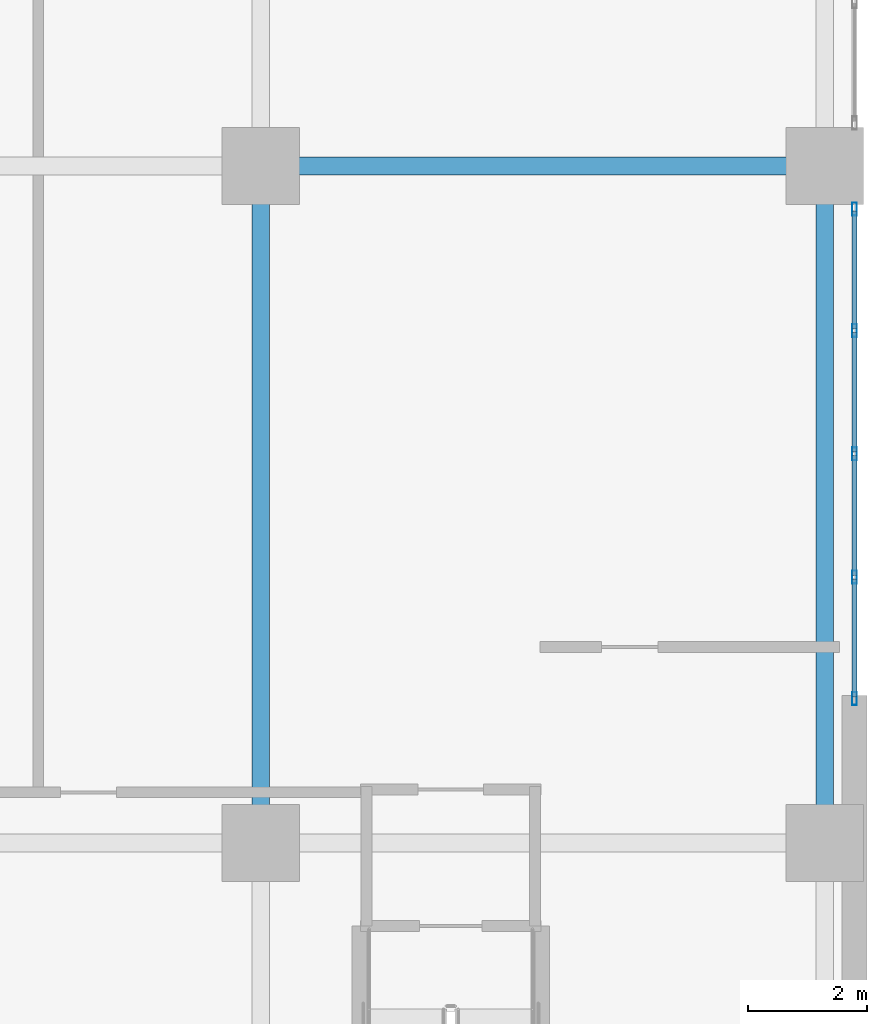
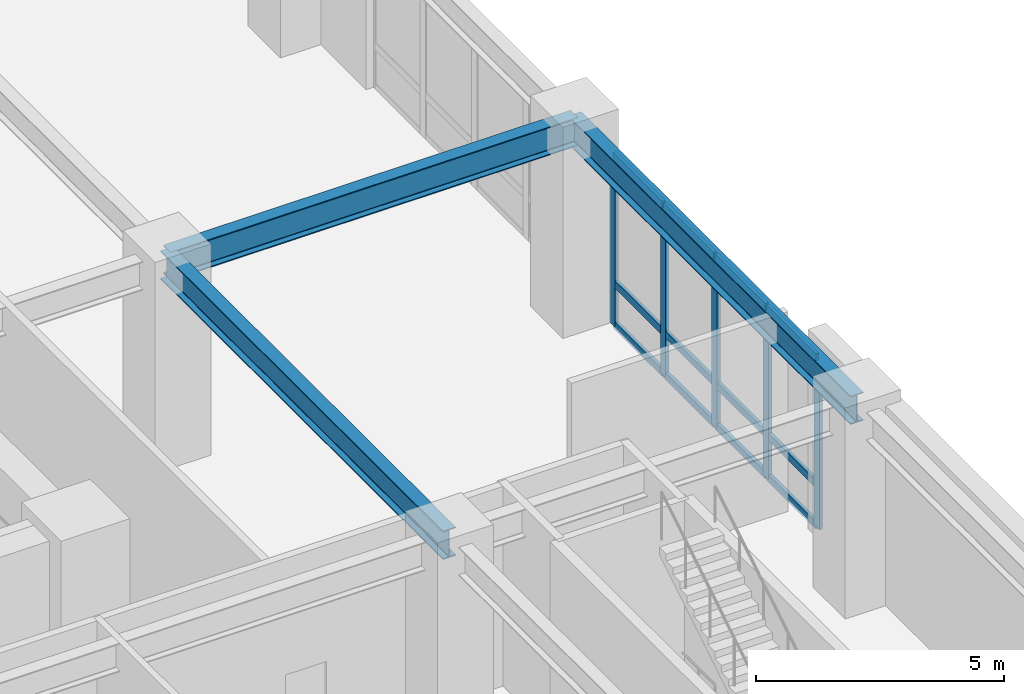
# One storey, part 16 of 27: 17 members, 3 beams, 1 element without a shape of its own.
"""IFC4 building model written with IfcOpenShell, lengths in metres."""

from ifc_helpers import new_model, si_unit, direction, frame, origin, origin_2d, place, context, subcontext, project, spatial, hollow_rectangle, i_section, extrude, material, layer, layer_set, material_profile, profile_set, type_object, element, aggregate, save


model = new_model("IFC4")

# Units and contexts
model_context = context("Model", 3, precision=1e-05, world=origin(), true_north=direction((0.0, 1.0)))
body_context = subcontext(model_context, "Body", "Model", "MODEL_VIEW")
ifc_project = project(units=[si_unit("LENGTHUNIT", "METRE"), si_unit("AREAUNIT", "SQUARE_METRE"), si_unit("VOLUMEUNIT", "CUBIC_METRE"), si_unit("PLANEANGLEUNIT", "RADIAN"), si_unit("MASSUNIT", "GRAM", prefix="KILO")], contexts=[model_context])

# Site, building, storey
site_placement = place(None, origin())
site = spatial("IfcSite", under=ifc_project, at=site_placement, CompositionType="ELEMENT")
building_placement = place(site_placement, origin())
building = spatial("IfcBuilding", under=site, at=building_placement, Name="Voryun Gate Residences", CompositionType="ELEMENT")
storey_placement = place(building_placement, frame((0.0, 0.0, 5.199951171875)))
storey = spatial("IfcBuildingStorey", under=building, at=storey_placement, Name="L01", CompositionType="ELEMENT", Elevation=5.199951171875)

# Beams
ifc_material_1 = material(Name="Steel SM355", Category="steel")
ifc_material_profile_1 = material_profile(ifc_material_1, i_section(OverallWidth=0.300048828125, OverallDepth=0.699951171875, WebThickness=0.012939453125, FlangeThickness=0.02392578125, FilletRadius=0.01806640625, at=origin_2d()), Name="H-700x300x13x24")
ifc_profile_set_1 = profile_set([ifc_material_profile_1], Name="Steel SM355")
beam_type = type_object("IfcBeamType", Name="BM_GIRD_700", PredefinedType="USERDEFINED", material=ifc_profile_set_1)
beam_placement = place(storey_placement, frame((25.60009765625, 0.0, 4.570068359375), z_axis=(1.0, 0.0, 0.0), x_axis=(0.0, 1.0, 0.0)))
element("IfcBeam", 1, at=beam_placement, inside=storey, type_object=beam_type, Name="BM-L01-PEX-+0.0-1", ObjectType="GIRDER", PredefinedType="USERDEFINED", context=body_context, shape_type="SweptSolid", body=[
    extrude(i_section(OverallWidth=0.300048828125, OverallDepth=0.699951171875, WebThickness=0.012939453125, FlangeThickness=0.02392578125, FilletRadius=0.01806640625, at=origin_2d()), origin(), (0.0, 0.0, 1.0), 9.5),
])
for number, where, z_axis, x_axis, name in (
    (2, (25.60009765625, -11.39990234375, 4.570068359375), (0.0, 1.0, 0.0), (-1.0, 0.0, 0.0), "BM-L01-PEY-+25.6-1"),
    (3, (35.10009765625, -11.39990234375, 4.570068359375), (0.0, 1.0, 0.0), (-1.0, 0.0, 0.0), "BM-L01-PEY-+35.1-1"),
):
    element("IfcBeam", number, at=place(storey_placement, frame(where, z_axis=z_axis, x_axis=x_axis)), inside=storey, type_object=beam_type, Name=name, ObjectType="GIRDER", PredefinedType="USERDEFINED", context=body_context, shape_type="SweptSolid", body=[
        extrude(i_section(OverallWidth=0.300048828125, OverallDepth=0.699951171875, WebThickness=0.012939453125, FlangeThickness=0.02392578125, FilletRadius=0.01806640625, at=origin_2d()), origin(), (0.0, 0.0, 1.0), 11.39990234375),
    ])

# Curtain wall, members
ifc_material_2 = material(Name="Anodised aluminium", Category="aluminium")
ifc_layer = layer(ifc_material_2, 0.219970703125, Name="CW_SYS_POD_DARK_GLASS")
ifc_layer_set = layer_set([ifc_layer], Name="Anodised aluminium")
curtain_wall_type = type_object("IfcCurtainWallType", Name="CW_SYS_POD_DARK_GLASS", PredefinedType="NOTDEFINED", material=ifc_layer_set)
curtain_wall_placement = place(storey_placement, origin())
curtain_wall = element("IfcCurtainWall", 4, at=curtain_wall_placement, inside=storey, type_object=curtain_wall_type, Name="Curtain wall CW1-L01-EPE-S", PredefinedType="NOTDEFINED")
ifc_material_3 = material(Name="Anodised aluminium", Category="aluminium")
ifc_material_profile_2 = material_profile(ifc_material_3, hollow_rectangle(XDim=0.080078125, YDim=0.219970703125, WallThickness=0.0048828125, at=origin_2d()), Name="ALU-MULL-220x80x5")
ifc_profile_set_2 = profile_set([ifc_material_profile_2], Name="Anodised aluminium")
member_type_1 = type_object("IfcMemberType", Name="CW_MULL_POD", PredefinedType="MULLION", material=ifc_profile_set_2)
member_1_placement = place(storey_placement, frame((35.60009765625, -8.969970703125, 0.0), z_axis=(0.0, 0.0, 1.0), x_axis=(-1.0, 0.0, 0.0)))
member_1 = element("IfcMember", 5, at=member_1_placement, type_object=member_type_1, Name="CW1 mullion 1", PredefinedType="MULLION", context=body_context, shape_type="SweptSolid", body=[
    extrude(hollow_rectangle(XDim=0.080078125, YDim=0.219970703125, WallThickness=0.0048828125, at=origin_2d()), origin(), (0.0, 0.0, 1.0), 4.199951171875),
])
member_2_placement = place(storey_placement, frame((35.60009765625, -6.923828125, 0.0), z_axis=(0.0, 0.0, 1.0), x_axis=(-1.0, 0.0, 0.0)))
member_2 = element("IfcMember", 6, at=member_2_placement, type_object=member_type_1, Name="CW1 mullion 2", PredefinedType="MULLION", context=body_context, shape_type="SweptSolid", body=[
    extrude(hollow_rectangle(XDim=0.080078125, YDim=0.219970703125, WallThickness=0.0048828125, at=origin_2d()), origin(), (0.0, 0.0, 1.0), 4.199951171875),
])
member_3_placement = place(storey_placement, frame((35.60009765625, -4.847412109375, 0.0), z_axis=(0.0, 0.0, 1.0), x_axis=(-1.0, 0.0, 0.0)))
member_3 = element("IfcMember", 7, at=member_3_placement, type_object=member_type_1, Name="CW1 mullion 3", PredefinedType="MULLION", context=body_context, shape_type="SweptSolid", body=[
    extrude(hollow_rectangle(XDim=0.080078125, YDim=0.219970703125, WallThickness=0.0048828125, at=origin_2d()), origin(), (0.0, 0.0, 1.0), 4.199951171875),
])
member_4_placement = place(storey_placement, frame((35.60009765625, -2.771240234375, 0.0), z_axis=(0.0, 0.0, 1.0), x_axis=(-1.0, 0.0, 0.0)))
member_4 = element("IfcMember", 8, at=member_4_placement, type_object=member_type_1, Name="CW1 mullion 4", PredefinedType="MULLION", context=body_context, shape_type="SweptSolid", body=[
    extrude(hollow_rectangle(XDim=0.080078125, YDim=0.219970703125, WallThickness=0.0048828125, at=origin_2d()), origin(), (0.0, 0.0, 1.0), 4.199951171875),
])
member_5_placement = place(storey_placement, frame((35.60009765625, -0.72509765625, 0.0), z_axis=(0.0, 0.0, 1.0), x_axis=(-1.0, 0.0, 0.0)))
member_5 = element("IfcMember", 9, at=member_5_placement, type_object=member_type_1, Name="CW1 mullion 5", PredefinedType="MULLION", context=body_context, shape_type="SweptSolid", body=[
    extrude(hollow_rectangle(XDim=0.080078125, YDim=0.219970703125, WallThickness=0.0048828125, at=origin_2d()), origin(), (0.0, 0.0, 1.0), 4.199951171875),
])
ifc_material_4 = material(Name="Anodised aluminium", Category="aluminium")
ifc_material_profile_3 = material_profile(ifc_material_4, hollow_rectangle(XDim=0.080078125, YDim=0.179931640625, WallThickness=0.0048828125, at=origin_2d()), Name="ALU-TRAN-180x80x5")
ifc_profile_set_3 = profile_set([ifc_material_profile_3], Name="Anodised aluminium")
member_type_2 = type_object("IfcMemberType", Name="CW_TRAN_POD", PredefinedType="USERDEFINED", material=ifc_profile_set_3)
member_6_placement = place(storey_placement, frame((35.60009765625, -8.93994140625, 0.030029296875), z_axis=(0.0, 1.0, 0.0), x_axis=(-1.0, 0.0, 0.0)))
member_6 = element("IfcMember", 10, at=member_6_placement, type_object=member_type_2, Name="CW1 transom 1.1", ObjectType="TRANSOM", PredefinedType="USERDEFINED", context=body_context, shape_type="SweptSolid", body=[
    extrude(hollow_rectangle(XDim=0.080078125, YDim=0.179931640625, WallThickness=0.0048828125, at=origin_2d()), origin(), (0.0, 0.0, 1.0), 1.986083984375),
])
member_7_placement = place(storey_placement, frame((35.60009765625, -8.93994140625, 1.050048828125), z_axis=(0.0, 1.0, 0.0), x_axis=(-1.0, 0.0, 0.0)))
member_7 = element("IfcMember", 11, at=member_7_placement, type_object=member_type_2, Name="CW1 transom 1.2", ObjectType="TRANSOM", PredefinedType="USERDEFINED", context=body_context, shape_type="SweptSolid", body=[
    extrude(hollow_rectangle(XDim=0.080078125, YDim=0.179931640625, WallThickness=0.0048828125, at=origin_2d()), origin(), (0.0, 0.0, 1.0), 1.986083984375),
])
member_8_placement = place(storey_placement, frame((35.60009765625, -8.93994140625, 4.170166015625), z_axis=(0.0, 1.0, 0.0), x_axis=(-1.0, 0.0, 0.0)))
member_8 = element("IfcMember", 12, at=member_8_placement, type_object=member_type_2, Name="CW1 transom 1.3", ObjectType="TRANSOM", PredefinedType="USERDEFINED", context=body_context, shape_type="SweptSolid", body=[
    extrude(hollow_rectangle(XDim=0.080078125, YDim=0.179931640625, WallThickness=0.0048828125, at=origin_2d()), origin(), (0.0, 0.0, 1.0), 1.986083984375),
])
member_9_placement = place(storey_placement, frame((35.60009765625, -6.893798828125, 0.030029296875), z_axis=(0.0, 1.0, 0.0), x_axis=(-1.0, 0.0, 0.0)))
member_9 = element("IfcMember", 13, at=member_9_placement, type_object=member_type_2, Name="CW1 transom 2.1", ObjectType="TRANSOM", PredefinedType="USERDEFINED", context=body_context, shape_type="SweptSolid", body=[
    extrude(hollow_rectangle(XDim=0.080078125, YDim=0.179931640625, WallThickness=0.0048828125, at=origin_2d()), origin(), (0.0, 0.0, 1.0), 2.016357421875),
])
member_10_placement = place(storey_placement, frame((35.60009765625, -6.893798828125, 1.050048828125), z_axis=(0.0, 1.0, 0.0), x_axis=(-1.0, 0.0, 0.0)))
member_10 = element("IfcMember", 14, at=member_10_placement, type_object=member_type_2, Name="CW1 transom 2.2", ObjectType="TRANSOM", PredefinedType="USERDEFINED", context=body_context, shape_type="SweptSolid", body=[
    extrude(hollow_rectangle(XDim=0.080078125, YDim=0.179931640625, WallThickness=0.0048828125, at=origin_2d()), origin(), (0.0, 0.0, 1.0), 2.016357421875),
])
member_11_placement = place(storey_placement, frame((35.60009765625, -6.893798828125, 4.170166015625), z_axis=(0.0, 1.0, 0.0), x_axis=(-1.0, 0.0, 0.0)))
member_11 = element("IfcMember", 15, at=member_11_placement, type_object=member_type_2, Name="CW1 transom 2.3", ObjectType="TRANSOM", PredefinedType="USERDEFINED", context=body_context, shape_type="SweptSolid", body=[
    extrude(hollow_rectangle(XDim=0.080078125, YDim=0.179931640625, WallThickness=0.0048828125, at=origin_2d()), origin(), (0.0, 0.0, 1.0), 2.016357421875),
])
member_12_placement = place(storey_placement, frame((35.60009765625, -4.8173828125, 0.030029296875), z_axis=(0.0, 1.0, 0.0), x_axis=(-1.0, 0.0, 0.0)))
member_12 = element("IfcMember", 16, at=member_12_placement, type_object=member_type_2, Name="CW1 transom 3.1", ObjectType="TRANSOM", PredefinedType="USERDEFINED", context=body_context, shape_type="SweptSolid", body=[
    extrude(hollow_rectangle(XDim=0.080078125, YDim=0.179931640625, WallThickness=0.0048828125, at=origin_2d()), origin(), (0.0, 0.0, 1.0), 2.01611328125),
])
member_13_placement = place(storey_placement, frame((35.60009765625, -4.8173828125, 1.050048828125), z_axis=(0.0, 1.0, 0.0), x_axis=(-1.0, 0.0, 0.0)))
member_13 = element("IfcMember", 17, at=member_13_placement, type_object=member_type_2, Name="CW1 transom 3.2", ObjectType="TRANSOM", PredefinedType="USERDEFINED", context=body_context, shape_type="SweptSolid", body=[
    extrude(hollow_rectangle(XDim=0.080078125, YDim=0.179931640625, WallThickness=0.0048828125, at=origin_2d()), origin(), (0.0, 0.0, 1.0), 2.01611328125),
])
member_14_placement = place(storey_placement, frame((35.60009765625, -4.8173828125, 4.170166015625), z_axis=(0.0, 1.0, 0.0), x_axis=(-1.0, 0.0, 0.0)))
member_14 = element("IfcMember", 18, at=member_14_placement, type_object=member_type_2, Name="CW1 transom 3.3", ObjectType="TRANSOM", PredefinedType="USERDEFINED", context=body_context, shape_type="SweptSolid", body=[
    extrude(hollow_rectangle(XDim=0.080078125, YDim=0.179931640625, WallThickness=0.0048828125, at=origin_2d()), origin(), (0.0, 0.0, 1.0), 2.01611328125),
])
member_15_placement = place(storey_placement, frame((35.60009765625, -2.7412109375, 0.030029296875), z_axis=(0.0, 1.0, 0.0), x_axis=(-1.0, 0.0, 0.0)))
member_15 = element("IfcMember", 19, at=member_15_placement, type_object=member_type_2, Name="CW1 transom 4.1", ObjectType="TRANSOM", PredefinedType="USERDEFINED", context=body_context, shape_type="SweptSolid", body=[
    extrude(hollow_rectangle(XDim=0.080078125, YDim=0.179931640625, WallThickness=0.0048828125, at=origin_2d()), origin(), (0.0, 0.0, 1.0), 1.986328125),
])
member_16_placement = place(storey_placement, frame((35.60009765625, -2.7412109375, 1.050048828125), z_axis=(0.0, 1.0, 0.0), x_axis=(-1.0, 0.0, 0.0)))
member_16 = element("IfcMember", 20, at=member_16_placement, type_object=member_type_2, Name="CW1 transom 4.2", ObjectType="TRANSOM", PredefinedType="USERDEFINED", context=body_context, shape_type="SweptSolid", body=[
    extrude(hollow_rectangle(XDim=0.080078125, YDim=0.179931640625, WallThickness=0.0048828125, at=origin_2d()), origin(), (0.0, 0.0, 1.0), 1.986328125),
])
member_17_placement = place(storey_placement, frame((35.60009765625, -2.7412109375, 4.170166015625), z_axis=(0.0, 1.0, 0.0), x_axis=(-1.0, 0.0, 0.0)))
member_17 = element("IfcMember", 21, at=member_17_placement, type_object=member_type_2, Name="CW1 transom 4.3", ObjectType="TRANSOM", PredefinedType="USERDEFINED", context=body_context, shape_type="SweptSolid", body=[
    extrude(hollow_rectangle(XDim=0.080078125, YDim=0.179931640625, WallThickness=0.0048828125, at=origin_2d()), origin(), (0.0, 0.0, 1.0), 1.986328125),
])
aggregate(curtain_wall, [member_1, member_2, member_3, member_4, member_5, member_6, member_7, member_8, member_9, member_10, member_11, member_12, member_13, member_14, member_15, member_16, member_17])

save(model, "model.ifc")
